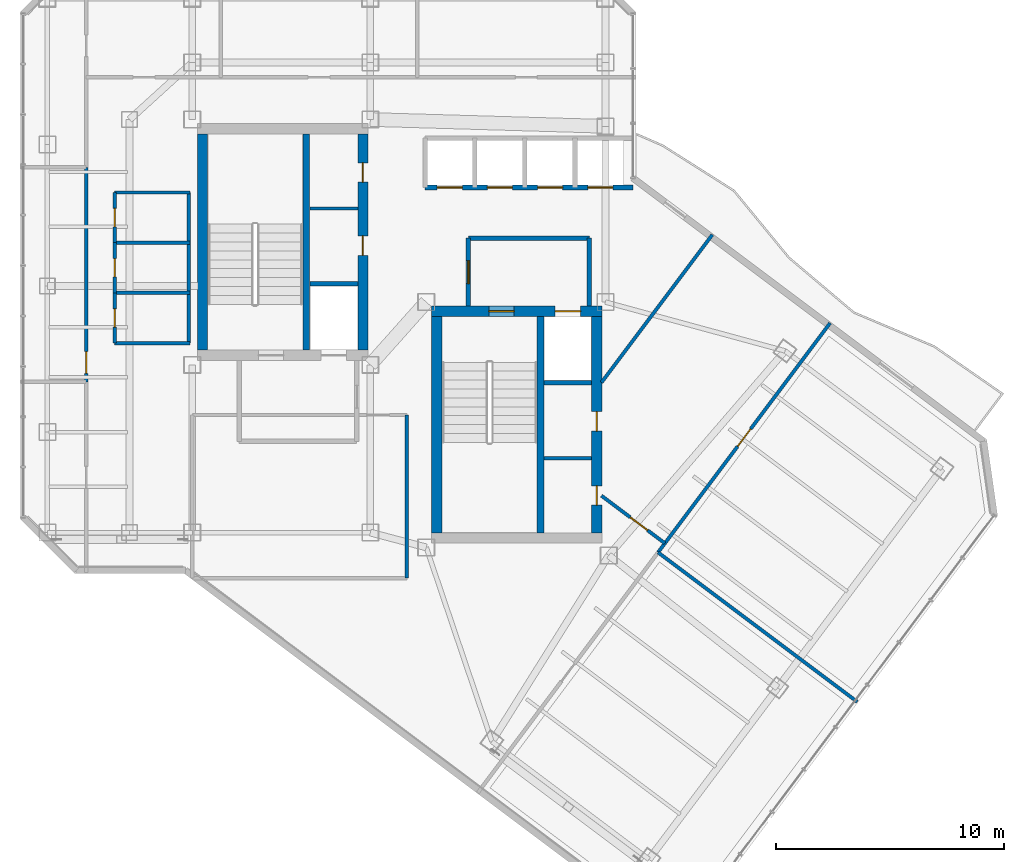
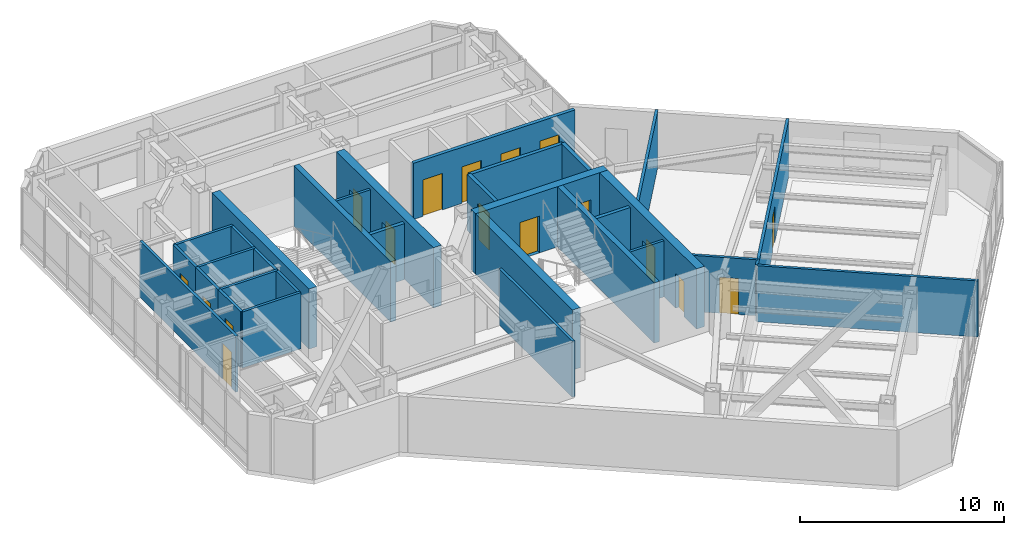
# One storey, part 20 of 24: 29 walls, 17 doors, 17 openings.
"""IFC4 building model written with IfcOpenShell, lengths in metres."""

import ifcopenshell
import ifcopenshell.guid

model = None  # the IFC model being written
_history = None  # IfcOwnerHistory: only IFC2X3 demands one
_inside = {}  # id of a spatial element -> (the spatial element, [elements in it])
_under = {}  # id of a project, library or spatial element -> (it, [spatial elements below it])
_declared = {}  # id of a project -> (the project, [libraries it declares])
_typed = {}  # id of a type object -> (the type object, [elements of that type])
_made_of = {}  # id of a material, layer set ... -> (it, [elements and type objects made of it])


def new_model(schema):
    """Start an empty IFC model of exactly this schema.

    Asked for "IFC4X3", IfcOpenShell would pick the latest addendum, in which some entities
    have other attributes; the version numbers below select the first issue.
    IFC2X3 requires an IfcOwnerHistory on every rooted entity: one is made here for all.
    """
    global model, _history
    if schema == "IFC4X3":
        model = ifcopenshell.file(schema_version=(4, 3, 0, 0))
    else:
        model = ifcopenshell.file(schema=schema)
    _inside.clear()
    _under.clear()
    _declared.clear()
    _typed.clear()
    _made_of.clear()
    _history = None
    if model.schema == "IFC2X3":
        org = make("IfcOrganization", Name="unknown")
        user = make(
            "IfcPersonAndOrganization",
            ThePerson=make("IfcPerson", FamilyName="unknown"),
            TheOrganization=org,
        )
        app = make(
            "IfcApplication",
            ApplicationDeveloper=org,
            Version="unknown",
            ApplicationFullName="unknown",
            ApplicationIdentifier="unknown",
        )
        _history = make(
            "IfcOwnerHistory",
            OwningUser=user,
            OwningApplication=app,
            ChangeAction="ADDED",
            CreationDate=0,
        )
    return model


def make(cls, **values):
    """One entity of the class cls with the attributes given. An attribute that is None is left unset."""
    return model.create_entity(
        cls, **{name: value for name, value in values.items() if value is not None}
    )


def rooted(cls, **values):
    """An entity with a GlobalId (a new one), such as an element, a storey or a relation."""
    return make(cls, GlobalId=ifcopenshell.guid.new(), OwnerHistory=_history, **values)


def si_unit(unit_type, name, prefix=None):
    """IfcSIUnit, for example si_unit("LENGTHUNIT", "METRE", prefix="MILLI")."""
    return make("IfcSIUnit", UnitType=unit_type, Prefix=prefix, Name=name)


def assignment(units):
    """IfcUnitAssignment: the units of a project."""
    return None if units is None else make("IfcUnitAssignment", Units=units)


def point(xyz):
    """IfcCartesianPoint."""
    return None if xyz is None else make("IfcCartesianPoint", Coordinates=xyz)


def direction(xyz):
    """IfcDirection."""
    return None if xyz is None else make("IfcDirection", DirectionRatios=xyz)


def frame(location, z_axis=None, x_axis=None):
    """IfcAxis2Placement3D, a coordinate frame: its origin and axes. An axis left out is left unset."""
    return make(
        "IfcAxis2Placement3D",
        Location=point(location),
        Axis=direction(z_axis),
        RefDirection=direction(x_axis),
    )


def frame_2d(location, x_axis=None):
    """IfcAxis2Placement2D, a coordinate frame in the plane: its origin and x axis."""
    return make(
        "IfcAxis2Placement2D", Location=point(location), RefDirection=direction(x_axis)
    )


def origin():
    """The frame at (0, 0, 0) with its axes left unset."""
    return frame((0.0, 0.0, 0.0))


def place(relative_to, where):
    """IfcLocalPlacement: puts the frame where relative to a parent placement (None: the world)."""
    return make(
        "IfcLocalPlacement", PlacementRelTo=relative_to, RelativePlacement=where
    )


def context(
    kind, dimensions, precision=None, world=None, true_north=None, identifier=None
):
    """IfcGeometricRepresentationContext, for example the 3D "Model" context."""
    return make(
        "IfcGeometricRepresentationContext",
        ContextIdentifier=identifier,
        ContextType=kind,
        CoordinateSpaceDimension=dimensions,
        Precision=precision,
        WorldCoordinateSystem=world,
        TrueNorth=true_north,
    )


def subcontext(parent, identifier, kind, view, scale=None):
    """IfcGeometricRepresentationSubContext, for example "Body" below "Model"."""
    return make(
        "IfcGeometricRepresentationSubContext",
        ContextIdentifier=identifier,
        ContextType=kind,
        ParentContext=parent,
        TargetScale=scale,
        TargetView=view,
    )


def project(units=None, contexts=None):
    """IfcProject with its units and contexts."""
    return rooted(
        "IfcProject",
        Name="project",
        RepresentationContexts=contexts,
        UnitsInContext=assignment(units),
    )


def spatial(cls, under=None, at=None, **own):
    """A site, building, storey or space (cls), placed at a placement, below another one or the project."""
    s = rooted(cls, ObjectPlacement=at, **own)
    if under is not None:
        _under.setdefault(under.id(), (under, []))[1].append(s)
    return s


def profile(cls, at=None, kind="AREA", **sizes):
    """A parametric profile (cls). Its sizes go by their IFC names, for example OverallWidth=200.0."""
    return make(cls, ProfileType=kind, Position=at, **sizes)


def rectangle(**sizes):
    """IfcRectangleProfileDef."""
    return profile("IfcRectangleProfileDef", **sizes)


def extrude(swept, where, along, depth):
    """IfcExtrudedAreaSolid: the profile swept, set in the frame where, extruded along a direction by depth."""
    return make(
        "IfcExtrudedAreaSolid",
        SweptArea=swept,
        Position=where,
        ExtrudedDirection=direction(along),
        Depth=depth,
    )


def shape(context_of_items, identifier, shape_type, items):
    """IfcShapeRepresentation: the items that make up one representation, for example the "Body"."""
    return make(
        "IfcShapeRepresentation",
        ContextOfItems=context_of_items,
        RepresentationIdentifier=identifier,
        RepresentationType=shape_type,
        Items=items,
    )


def material(Name=None, Category=None):
    """IfcMaterial."""
    return make("IfcMaterial", Name=Name, Category=Category)


def layer(
    of_material, thickness, ventilated=None, Name=None, Category=None, Priority=None
):
    """IfcMaterialLayer: one layer of a wall or slab, of a material (None: an air gap)."""
    return make(
        "IfcMaterialLayer",
        Material=of_material,
        LayerThickness=thickness,
        IsVentilated=ventilated,
        Name=Name,
        Category=Category,
        Priority=Priority,
    )


def layer_set(layers, Name=None):
    """IfcMaterialLayerSet."""
    return make("IfcMaterialLayerSet", MaterialLayers=layers, LayerSetName=Name)


def made_of(thing, what):
    """Note that an element or type object is made of a material, layer set ...; save() writes the relation."""
    if what is not None:
        _made_of.setdefault(what.id(), (what, []))[1].append(thing)
    return thing


def type_object(cls, material=None, **own):
    """A type object (cls), such as IfcWallType, which elements share."""
    return made_of(rooted(cls, **own), material)


def element(
    cls,
    number,
    at=None,
    inside=None,
    cuts=None,
    type_object=None,
    material=None,
    context=None,
    identifier="Body",
    shape_type=None,
    held_by="IfcProductDefinitionShape",
    body=None,
    shapes=None,
    **own,
):
    """One element of the class cls, such as IfcWall. Its Tag is "e" and its number.

    at: its placement. inside: the storey or other place that contains it. cuts: it is an
    opening in that element (IfcRelVoidsElement). A single representation is given by context,
    identifier, shape_type and body (its items); several are given by shapes. held_by: the class
    of the entity that holds the representations. save() writes the other relations.
    """
    e = rooted(cls, Tag="e%d" % number, ObjectPlacement=at, **own)
    if body is not None:
        shapes = [shape(context, identifier, shape_type, body)]
    if shapes is not None:
        e.Representation = make(held_by, Representations=shapes)
    if inside is not None:
        _inside.setdefault(inside.id(), (inside, []))[1].append(e)
    if cuts is not None:
        rooted(
            "IfcRelVoidsElement", RelatingBuildingElement=cuts, RelatedOpeningElement=e
        )
    if type_object is not None:
        _typed.setdefault(type_object.id(), (type_object, []))[1].append(e)
    return made_of(e, material)


def fill(opening, filler):
    """IfcRelFillsElement: the door or window that sits in an opening."""
    return rooted(
        "IfcRelFillsElement",
        RelatingOpeningElement=opening,
        RelatedBuildingElement=filler,
    )


def aggregate(whole, parts):
    """IfcRelAggregates: a whole, such as a stair, and the parts it consists of."""
    return rooted("IfcRelAggregates", RelatingObject=whole, RelatedObjects=parts)


def save(model, path):
    """Write the relations noted so far, then the file.

    IfcRelAggregates (storeys below a building ...), IfcRelContainedInSpatialStructure (elements
    in a storey), IfcRelDefinesByType, IfcRelAssociatesMaterial and IfcRelDeclares: one each for
    every whole, place, type object, material and project.
    """
    for whole, parts in _under.values():
        aggregate(whole, parts)
    for where, things in _inside.values():
        rooted(
            "IfcRelContainedInSpatialStructure",
            RelatedElements=things,
            RelatingStructure=where,
        )
    for kind, things in _typed.values():
        rooted("IfcRelDefinesByType", RelatedObjects=things, RelatingType=kind)
    for what, things in _made_of.values():
        rooted("IfcRelAssociatesMaterial", RelatedObjects=things, RelatingMaterial=what)
    for by, libraries in _declared.values():
        rooted("IfcRelDeclares", RelatingContext=by, RelatedDefinitions=libraries)
    model.write(path)


model = new_model("IFC4")

# Units and contexts
model_context = context("Model", 3, precision=1e-05, world=origin(), true_north=direction((0.0, 1.0)))
body_context = subcontext(model_context, "Body", "Model", "MODEL_VIEW")
ifc_project = project(units=[si_unit("LENGTHUNIT", "METRE"), si_unit("AREAUNIT", "SQUARE_METRE"), si_unit("VOLUMEUNIT", "CUBIC_METRE"), si_unit("PLANEANGLEUNIT", "RADIAN"), si_unit("MASSUNIT", "GRAM", prefix="KILO")], contexts=[model_context])

# Site, building, storey
site_placement = place(None, origin())
site = spatial("IfcSite", under=ifc_project, at=site_placement, CompositionType="ELEMENT")
building_placement = place(site_placement, origin())
building = spatial("IfcBuilding", under=site, at=building_placement, Name="Hatsunagi Terrace Concourse", CompositionType="ELEMENT")
storey_placement = place(building_placement, frame((0.0, 0.0, 202.35009765625)))
storey = spatial("IfcBuildingStorey", under=building, at=storey_placement, Name="L53", CompositionType="ELEMENT", Elevation=202.35009765625)

# Wall
ifc_material_1 = material(Name="Concrete Fc42", Category="concrete")
ifc_layer_1 = layer(ifc_material_1, 0.449951171875)
ifc_layer_set_1 = layer_set([ifc_layer_1], Name="CoreShearWall_Fc42_450")
wall_type_1 = type_object("IfcWallType", Name="CoreShearWall_Fc42_450", PredefinedType="SHEAR", material=ifc_layer_set_1)
wall_1_placement = place(storey_placement, frame((25.9951171875, 33.18994140625, 0.0), z_axis=(0.0, 0.0, 1.0), x_axis=(0.0, 1.0, 0.0)))
element("IfcWall", 1, at=wall_1_placement, inside=storey, type_object=wall_type_1, Name="Core A Shear Wall W L53", PredefinedType="SHEAR", context=body_context, shape_type="SweptSolid", body=[
    extrude(rectangle(XDim=9.47998046875, YDim=0.449951171875, at=frame_2d((4.739990234375, 0.0))), origin(), (0.0, 0.0, 1.0), 3.599853515625),
])

# Wall, openings, doors
wall_2_placement = place(storey_placement, frame((33.02490234375, 33.18994140625, 0.0), z_axis=(0.0, 0.0, 1.0), x_axis=(0.0, 1.0, 0.0)))
wall_2 = element("IfcWall", 2, at=wall_2_placement, inside=storey, type_object=wall_type_1, Name="Core A Shear Wall E L53", PredefinedType="SHEAR", context=body_context, shape_type="SweptSolid", body=[
    extrude(rectangle(XDim=9.47998046875, YDim=0.449951171875, at=frame_2d((4.739990234375, 0.0))), origin(), (0.0, 0.0, 1.0), 3.599853515625),
])
opening_1_placement = place(wall_2_placement, frame((4.159912109375, 0.0, 0.0)))
opening_1 = element("IfcOpeningElement", 3, at=opening_1_placement, cuts=wall_2, Name="Opening DR-085", PredefinedType="OPENING", context=body_context, shape_type="SweptSolid", body=[
    extrude(rectangle(XDim=0.85009765625, YDim=2.080078125, at=frame_2d((0.425048828125, 1.0400390625))), frame((0.0, 0.23486328125, 0.0), z_axis=(0.0, -1.0, 0.0), x_axis=(1.0, 0.0, 0.0)), (0.0, 0.0, 1.0), 0.469970703125),
])
opening_2_placement = place(wall_2_placement, frame((7.360107421875, 0.0, 0.0)))
opening_2 = element("IfcOpeningElement", 4, at=opening_2_placement, cuts=wall_2, Name="Opening DR-085", PredefinedType="OPENING", context=body_context, shape_type="SweptSolid", body=[
    extrude(rectangle(XDim=0.85009765625, YDim=2.080078125, at=frame_2d((0.425048828125, 1.0400390625))), frame((0.0, 0.23486328125, 0.0), z_axis=(0.0, -1.0, 0.0), x_axis=(1.0, 0.0, 0.0)), (0.0, 0.0, 1.0), 0.469970703125),
])
ifc_material_2 = material(Name="Painted steel", Category="steel")
door_type_1 = type_object("IfcDoorType", Name="RiserAccessDoor_EI60_850", OperationType="NOTDEFINED", PredefinedType="DOOR", material=ifc_material_2)
door_1_placement = place(opening_1_placement, origin())
door_1 = element("IfcDoor", 5, at=door_1_placement, inside=storey, type_object=door_type_1, Name="Core A Riser Door L53-1", OperationType="SINGLE_SWING_LEFT", OverallHeight=2.080078125, OverallWidth=0.85009765625, PredefinedType="DOOR", context=body_context, shape_type="SweptSolid", body=[
    extrude(rectangle(XDim=0.85009765625, YDim=2.080078125, at=frame_2d((0.425048828125, 1.0400390625))), frame((0.0, 0.02490234375, 0.0), z_axis=(0.0, -1.0, 0.0), x_axis=(1.0, 0.0, 0.0)), (0.0, 0.0, 1.0), 0.050048828125),
])
fill(opening_1, door_1)
door_2_placement = place(opening_2_placement, origin())
door_2 = element("IfcDoor", 6, at=door_2_placement, inside=storey, type_object=door_type_1, Name="Core A Riser Door L53-2", OperationType="SINGLE_SWING_LEFT", OverallHeight=2.080078125, OverallWidth=0.85009765625, PredefinedType="DOOR", context=body_context, shape_type="SweptSolid", body=[
    extrude(rectangle(XDim=0.85009765625, YDim=2.080078125, at=frame_2d((0.425048828125, 1.0400390625))), frame((0.0, 0.02490234375, 0.0), z_axis=(0.0, -1.0, 0.0), x_axis=(1.0, 0.0, 0.0)), (0.0, 0.0, 1.0), 0.050048828125),
])
fill(opening_2, door_2)

wall_3_placement = place(storey_placement, frame((36.0400390625, 34.89501953125, 0.0), z_axis=(0.0, 0.0, 1.0), x_axis=(1.0, 0.0, 0.0)))
wall_3 = element("IfcWall", 7, at=wall_3_placement, inside=storey, type_object=wall_type_1, Name="Core B Shear Wall N L53", PredefinedType="SHEAR", context=body_context, shape_type="SweptSolid", body=[
    extrude(rectangle(XDim=7.4599609375, YDim=0.449951171875, at=frame_2d((3.72998046875, 0.0))), origin(), (0.0, 0.0, 1.0), 3.599853515625),
])
opening_3_placement = place(wall_3_placement, frame((2.510009765625, 0.0, 0.0)))
opening_3 = element("IfcOpeningElement", 8, at=opening_3_placement, cuts=wall_3, Name="Opening DR-110S", PredefinedType="OPENING", context=body_context, shape_type="SweptSolid", body=[
    extrude(rectangle(XDim=1.10009765625, YDim=2.199951171875, at=frame_2d((0.550048828125, 1.10009765625))), frame((0.0, 0.23486328125, 0.0), z_axis=(0.0, -1.0, 0.0), x_axis=(1.0, 0.0, 0.0)), (0.0, 0.0, 1.0), 0.469970703125),
])
opening_4_placement = place(wall_3_placement, frame((5.409912109375, 0.0, 0.0)))
opening_4 = element("IfcOpeningElement", 9, at=opening_4_placement, cuts=wall_3, Name="Opening LD-02", PredefinedType="OPENING", context=body_context, shape_type="SweptSolid", body=[
    extrude(rectangle(XDim=1.1201171875, YDim=2.14990234375, at=frame_2d((0.56005859375, 1.074951171875))), frame((0.0, 0.23486328125, 0.0), z_axis=(0.0, -1.0, 0.0), x_axis=(1.0, 0.0, 0.0)), (0.0, 0.0, 1.0), 0.469970703125),
])
ifc_material_3 = material(Name="Stainless steel", Category="steel")
door_type_2 = type_object("IfcDoorType", Name="LiftLandingDoor_LD02", OperationType="SLIDING_TO_RIGHT", PredefinedType="USERDEFINED", material=ifc_material_3)
door_3_placement = place(opening_4_placement, origin())
door_3 = element("IfcDoor", 10, at=door_3_placement, inside=storey, type_object=door_type_2, Name="Lift landing door FF-02 L53", ObjectType="SLIDING_LANDING_DOOR", OperationType="SLIDING_TO_RIGHT", OverallHeight=2.14990234375, OverallWidth=1.1201171875, PredefinedType="USERDEFINED", context=body_context, shape_type="SweptSolid", body=[
    extrude(rectangle(XDim=1.1201171875, YDim=2.14990234375, at=frame_2d((0.56005859375, 1.074951171875))), frame((0.0, 0.02490234375, 0.0), z_axis=(0.0, -1.0, 0.0), x_axis=(1.0, 0.0, 0.0)), (0.0, 0.0, 1.0), 0.050048828125),
])
fill(opening_4, door_3)
ifc_material_4 = material(Name="Painted steel", Category="steel")
door_type_3 = type_object("IfcDoorType", Name="StairFireDoor_EI60_1100", OperationType="NOTDEFINED", PredefinedType="DOOR", material=ifc_material_4)
door_4_placement = place(opening_3_placement, origin())
door_4 = element("IfcDoor", 11, at=door_4_placement, inside=storey, type_object=door_type_3, Name="Stair ST-B Exit Door L53", OperationType="SINGLE_SWING_RIGHT", OverallHeight=2.199951171875, OverallWidth=1.10009765625, PredefinedType="DOOR", context=body_context, shape_type="SweptSolid", body=[
    extrude(rectangle(XDim=1.10009765625, YDim=2.199951171875, at=frame_2d((0.550048828125, 1.10009765625))), frame((0.0, 0.02490234375, 0.0), z_axis=(0.0, -1.0, 0.0), x_axis=(1.0, 0.0, 0.0)), (0.0, 0.0, 1.0), 0.050048828125),
])
fill(opening_3, door_4)

# Wall
wall_4_placement = place(storey_placement, frame((36.264892578125, 25.18994140625, 0.0), z_axis=(0.0, 0.0, 1.0), x_axis=(0.0, 1.0, 0.0)))
element("IfcWall", 12, at=wall_4_placement, inside=storey, type_object=wall_type_1, Name="Core B Shear Wall W L53", PredefinedType="SHEAR", context=body_context, shape_type="SweptSolid", body=[
    extrude(rectangle(XDim=9.47998046875, YDim=0.449951171875, at=frame_2d((4.739990234375, 0.0))), origin(), (0.0, 0.0, 1.0), 3.599853515625),
])

# Wall, openings, doors
wall_5_placement = place(storey_placement, frame((43.27490234375, 25.18994140625, 0.0), z_axis=(0.0, 0.0, 1.0), x_axis=(0.0, 1.0, 0.0)))
wall_5 = element("IfcWall", 13, at=wall_5_placement, inside=storey, type_object=wall_type_1, Name="Core B Shear Wall E L53", PredefinedType="SHEAR", context=body_context, shape_type="SweptSolid", body=[
    extrude(rectangle(XDim=9.47998046875, YDim=0.449951171875, at=frame_2d((4.739990234375, 0.0))), origin(), (0.0, 0.0, 1.0), 3.599853515625),
])
opening_5_placement = place(wall_5_placement, frame((1.2099609375, 0.0, 0.0)))
opening_5 = element("IfcOpeningElement", 14, at=opening_5_placement, cuts=wall_5, Name="Opening DR-085", PredefinedType="OPENING", context=body_context, shape_type="SweptSolid", body=[
    extrude(rectangle(XDim=0.85009765625, YDim=2.080078125, at=frame_2d((0.425048828125, 1.0400390625))), frame((0.0, 0.23486328125, 0.0), z_axis=(0.0, -1.0, 0.0), x_axis=(1.0, 0.0, 0.0)), (0.0, 0.0, 1.0), 0.469970703125),
])
opening_6_placement = place(wall_5_placement, frame((4.4599609375, 0.0, 0.0)))
opening_6 = element("IfcOpeningElement", 15, at=opening_6_placement, cuts=wall_5, Name="Opening DR-085", PredefinedType="OPENING", context=body_context, shape_type="SweptSolid", body=[
    extrude(rectangle(XDim=0.85009765625, YDim=2.080078125, at=frame_2d((0.425048828125, 1.0400390625))), frame((0.0, 0.23486328125, 0.0), z_axis=(0.0, -1.0, 0.0), x_axis=(1.0, 0.0, 0.0)), (0.0, 0.0, 1.0), 0.469970703125),
])
door_5_placement = place(opening_5_placement, origin())
door_5 = element("IfcDoor", 16, at=door_5_placement, inside=storey, type_object=door_type_1, Name="Core B Riser Door L53-1", OperationType="SINGLE_SWING_RIGHT", OverallHeight=2.080078125, OverallWidth=0.85009765625, PredefinedType="DOOR", context=body_context, shape_type="SweptSolid", body=[
    extrude(rectangle(XDim=0.85009765625, YDim=2.080078125, at=frame_2d((0.425048828125, 1.0400390625))), frame((0.0, 0.02490234375, 0.0), z_axis=(0.0, -1.0, 0.0), x_axis=(1.0, 0.0, 0.0)), (0.0, 0.0, 1.0), 0.050048828125),
])
fill(opening_5, door_5)
door_6_placement = place(opening_6_placement, origin())
door_6 = element("IfcDoor", 17, at=door_6_placement, inside=storey, type_object=door_type_1, Name="Core B Riser Door L53-2", OperationType="SINGLE_SWING_RIGHT", OverallHeight=2.080078125, OverallWidth=0.85009765625, PredefinedType="DOOR", context=body_context, shape_type="SweptSolid", body=[
    extrude(rectangle(XDim=0.85009765625, YDim=2.080078125, at=frame_2d((0.425048828125, 1.0400390625))), frame((0.0, 0.02490234375, 0.0), z_axis=(0.0, -1.0, 0.0), x_axis=(1.0, 0.0, 0.0)), (0.0, 0.0, 1.0), 0.050048828125),
])
fill(opening_6, door_6)

# Walls
ifc_material_5 = material(Name="Concrete Fc48", Category="concrete")
ifc_layer_2 = layer(ifc_material_5, 0.300048828125)
ifc_layer_set_2 = layer_set([ifc_layer_2], Name="CoreStairDivider_Fc48_300")
wall_type_2 = type_object("IfcWallType", Name="CoreStairDivider_Fc48_300", PredefinedType="SHEAR", material=ifc_layer_set_2)
for number, where, z_axis, x_axis, name in (
    (18, (30.5400390625, 33.18994140625, 0.0), (0.0, 0.0, 1.0), (0.0, 1.0, 0.0), "Core A Shear Wall D L53"),
    (19, (40.81005859375, 25.18994140625, 0.0), (0.0, 0.0, 1.0), (0.0, 1.0, 0.0), "Core B Shear Wall D L53"),
):
    element("IfcWall", number, at=place(storey_placement, frame(where, z_axis=z_axis, x_axis=x_axis)), inside=storey, type_object=wall_type_2, Name=name, PredefinedType="SHEAR", context=body_context, shape_type="SweptSolid", body=[
        extrude(rectangle(XDim=9.47998046875, YDim=0.300048828125, at=frame_2d((4.739990234375, 0.0))), origin(), (0.0, 0.0, 1.0), 3.599853515625),
    ])
ifc_material_6 = material(Name="Acoustic mineral board", Category="gypsum")
ifc_layer_3 = layer(ifc_material_6, 0.14990234375)
ifc_layer_set_3 = layer_set([ifc_layer_3], Name="PartitionWall_EI60_150")
wall_type_3 = type_object("IfcWallType", Name="PartitionWall_EI60_150", PredefinedType="PARTITIONING", material=ifc_layer_set_3)
wall_6_placement = place(storey_placement, frame((30.699951171875, 39.39990234375, 0.0), z_axis=(0.0, 0.0, 1.0), x_axis=(1.0, 0.0, 0.0)))
element("IfcWall", 20, at=wall_6_placement, inside=storey, type_object=wall_type_3, Name="Interior Partition IW-L53-002", PredefinedType="PARTITIONING", context=body_context, shape_type="SweptSolid", body=[
    extrude(rectangle(XDim=2.10009765625, YDim=0.14990234375, at=frame_2d((1.050048828125, 0.0))), origin(), (0.0, 0.0, 1.0), 3.349853515625),
])
wall_7_placement = place(storey_placement, frame((40.969970703125, 28.449951171875, 0.0), z_axis=(0.0, 0.0, 1.0), x_axis=(1.0, 0.0, 0.0)))
element("IfcWall", 21, at=wall_7_placement, inside=storey, type_object=wall_type_3, Name="Interior Partition IW-L53-004", PredefinedType="PARTITIONING", context=body_context, shape_type="SweptSolid", body=[
    extrude(rectangle(XDim=2.080078125, YDim=0.14990234375, at=frame_2d((1.0400390625, 0.0))), origin(), (0.0, 0.0, 1.0), 3.349853515625),
])
for number, where, z_axis, x_axis, name in (
    (22, (22.14990234375, 33.5, 0.0), (0.0, 0.0, 1.0), (1.0, 0.0, 0.0), "Interior Partition IW-L53-017"),
    (23, (22.14990234375, 40.10009765625, 0.0), (0.0, 0.0, 1.0), (1.0, 0.0, 0.0), "Interior Partition IW-L53-018"),
):
    element("IfcWall", number, at=place(storey_placement, frame(where, z_axis=z_axis, x_axis=x_axis)), inside=storey, type_object=wall_type_3, Name=name, PredefinedType="PARTITIONING", context=body_context, shape_type="SweptSolid", body=[
        extrude(rectangle(XDim=3.300048828125, YDim=0.14990234375, at=frame_2d((1.64990234375, 0.0))), origin(), (0.0, 0.0, 1.0), 3.349853515625),
    ])
wall_8_placement = place(storey_placement, frame((25.39990234375, 33.5, 0.0), z_axis=(0.0, 0.0, 1.0), x_axis=(0.0, 1.0, 0.0)))
element("IfcWall", 24, at=wall_8_placement, inside=storey, type_object=wall_type_3, Name="Interior Partition IW-L53-019", PredefinedType="PARTITIONING", context=body_context, shape_type="SweptSolid", body=[
    extrude(rectangle(XDim=6.60009765625, YDim=0.14990234375, at=frame_2d((3.300048828125, 0.0))), origin(), (0.0, 0.0, 1.0), 3.349853515625),
])
for number, where, z_axis, x_axis, name in (
    (25, (22.14990234375, 35.699951171875, 0.0), (0.0, 0.0, 1.0), (1.0, 0.0, 0.0), "Interior Partition IW-L53-020"),
    (26, (22.14990234375, 37.89990234375, 0.0), (0.0, 0.0, 1.0), (1.0, 0.0, 0.0), "Interior Partition IW-L53-021"),
):
    element("IfcWall", number, at=place(storey_placement, frame(where, z_axis=z_axis, x_axis=x_axis)), inside=storey, type_object=wall_type_3, Name=name, PredefinedType="PARTITIONING", context=body_context, shape_type="SweptSolid", body=[
        extrude(rectangle(XDim=3.300048828125, YDim=0.14990234375, at=frame_2d((1.64990234375, 0.0))), origin(), (0.0, 0.0, 1.0), 3.349853515625),
    ])

# Wall, opening, door
wall_9_placement = place(storey_placement, frame((22.14990234375, 33.5, 0.0), z_axis=(0.0, 0.0, 1.0), x_axis=(0.0, 1.0, 0.0)))
wall_9 = element("IfcWall", 27, at=wall_9_placement, inside=storey, type_object=wall_type_3, Name="Interior Partition IW-L53-022", PredefinedType="PARTITIONING", context=body_context, shape_type="SweptSolid", body=[
    extrude(rectangle(XDim=2.199951171875, YDim=0.14990234375, at=frame_2d((1.10009765625, 0.0))), origin(), (0.0, 0.0, 1.0), 3.349853515625),
])
opening_7_placement = place(wall_9_placement, frame((0.699951171875, 0.0, 0.0)))
opening_7 = element("IfcOpeningElement", 28, at=opening_7_placement, cuts=wall_9, Name="Opening DR-080", PredefinedType="OPENING", context=body_context, shape_type="SweptSolid", body=[
    extrude(rectangle(XDim=0.800048828125, YDim=2.06005859375, at=frame_2d((0.39990234375, 1.030029296875))), frame((0.0, 0.0849609375, 0.0), z_axis=(0.0, -1.0, 0.0), x_axis=(1.0, 0.0, 0.0)), (0.0, 0.0, 1.0), 0.169921875),
])
ifc_material_7 = material(Name="Hardwood timber", Category="wood")
door_type_4 = type_object("IfcDoorType", Name="BathroomDoor_800", OperationType="NOTDEFINED", PredefinedType="DOOR", material=ifc_material_7)
door_7_placement = place(opening_7_placement, origin())
door_7 = element("IfcDoor", 29, at=door_7_placement, inside=storey, type_object=door_type_4, Name="Accessible WC Door L53", OperationType="SINGLE_SWING_RIGHT", OverallHeight=2.06005859375, OverallWidth=0.800048828125, PredefinedType="DOOR", context=body_context, shape_type="SweptSolid", body=[
    extrude(rectangle(XDim=0.800048828125, YDim=2.06005859375, at=frame_2d((0.39990234375, 1.030029296875))), frame((0.0, 0.02490234375, 0.0), z_axis=(0.0, -1.0, 0.0), x_axis=(1.0, 0.0, 0.0)), (0.0, 0.0, 1.0), 0.050048828125),
])
fill(opening_7, door_7)

wall_10_placement = place(storey_placement, frame((22.14990234375, 35.699951171875, 0.0), z_axis=(0.0, 0.0, 1.0), x_axis=(0.0, 1.0, 0.0)))
wall_10 = element("IfcWall", 30, at=wall_10_placement, inside=storey, type_object=wall_type_3, Name="Interior Partition IW-L53-023", PredefinedType="PARTITIONING", context=body_context, shape_type="SweptSolid", body=[
    extrude(rectangle(XDim=2.199951171875, YDim=0.14990234375, at=frame_2d((1.10009765625, 0.0))), origin(), (0.0, 0.0, 1.0), 3.349853515625),
])
opening_8_placement = place(wall_10_placement, frame((0.699951171875, 0.0, 0.0)))
opening_8 = element("IfcOpeningElement", 31, at=opening_8_placement, cuts=wall_10, Name="Opening DR-080", PredefinedType="OPENING", context=body_context, shape_type="SweptSolid", body=[
    extrude(rectangle(XDim=0.800048828125, YDim=2.06005859375, at=frame_2d((0.39990234375, 1.030029296875))), frame((0.0, 0.0849609375, 0.0), z_axis=(0.0, -1.0, 0.0), x_axis=(1.0, 0.0, 0.0)), (0.0, 0.0, 1.0), 0.169921875),
])
door_8_placement = place(opening_8_placement, origin())
door_8 = element("IfcDoor", 32, at=door_8_placement, inside=storey, type_object=door_type_4, Name="Female Restroom Door L53", OperationType="SINGLE_SWING_RIGHT", OverallHeight=2.06005859375, OverallWidth=0.800048828125, PredefinedType="DOOR", context=body_context, shape_type="SweptSolid", body=[
    extrude(rectangle(XDim=0.800048828125, YDim=2.06005859375, at=frame_2d((0.39990234375, 1.030029296875))), frame((0.0, 0.02490234375, 0.0), z_axis=(0.0, -1.0, 0.0), x_axis=(1.0, 0.0, 0.0)), (0.0, 0.0, 1.0), 0.050048828125),
])
fill(opening_8, door_8)

wall_11_placement = place(storey_placement, frame((22.14990234375, 37.89990234375, 0.0), z_axis=(0.0, 0.0, 1.0), x_axis=(0.0, 1.0, 0.0)))
wall_11 = element("IfcWall", 33, at=wall_11_placement, inside=storey, type_object=wall_type_3, Name="Interior Partition IW-L53-024", PredefinedType="PARTITIONING", context=body_context, shape_type="SweptSolid", body=[
    extrude(rectangle(XDim=2.2001953125, YDim=0.14990234375, at=frame_2d((1.10009765625, 0.0))), origin(), (0.0, 0.0, 1.0), 3.349853515625),
])
opening_9_placement = place(wall_11_placement, frame((0.699951171875, 0.0, 0.0)))
opening_9 = element("IfcOpeningElement", 34, at=opening_9_placement, cuts=wall_11, Name="Opening DR-080", PredefinedType="OPENING", context=body_context, shape_type="SweptSolid", body=[
    extrude(rectangle(XDim=0.800048828125, YDim=2.06005859375, at=frame_2d((0.39990234375, 1.030029296875))), frame((0.0, 0.0849609375, 0.0), z_axis=(0.0, -1.0, 0.0), x_axis=(1.0, 0.0, 0.0)), (0.0, 0.0, 1.0), 0.169921875),
])
door_9_placement = place(opening_9_placement, origin())
door_9 = element("IfcDoor", 35, at=door_9_placement, inside=storey, type_object=door_type_4, Name="Male Restroom Door L53", OperationType="SINGLE_SWING_RIGHT", OverallHeight=2.06005859375, OverallWidth=0.800048828125, PredefinedType="DOOR", context=body_context, shape_type="SweptSolid", body=[
    extrude(rectangle(XDim=0.800048828125, YDim=2.06005859375, at=frame_2d((0.39990234375, 1.030029296875))), frame((0.0, 0.02490234375, 0.0), z_axis=(0.0, -1.0, 0.0), x_axis=(1.0, 0.0, 0.0)), (0.0, 0.0, 1.0), 0.050048828125),
])
fill(opening_9, door_9)

# Wall
wall_12_placement = place(storey_placement, frame((34.949951171875, 23.199951171875, 0.0), z_axis=(0.0, 0.0, 1.0), x_axis=(0.0, 1.0, 0.0)))
element("IfcWall", 36, at=wall_12_placement, inside=storey, type_object=wall_type_3, Name="Interior Partition IW-L53-028", PredefinedType="PARTITIONING", context=body_context, shape_type="SweptSolid", body=[
    extrude(rectangle(XDim=7.150146484375, YDim=0.14990234375, at=frame_2d((3.5751953125, 0.0))), origin(), (0.0, 0.0, 1.0), 3.349853515625),
])

# Wall, opening, door
wall_13_placement = place(storey_placement, frame((20.89990234375, 31.800048828125, 0.0), z_axis=(0.0, 0.0, 1.0), x_axis=(0.0, 1.0, 0.0)))
wall_13 = element("IfcWall", 37, at=wall_13_placement, inside=storey, type_object=wall_type_3, Name="Interior Partition IW-L53-032", PredefinedType="PARTITIONING", context=body_context, shape_type="SweptSolid", body=[
    extrude(rectangle(XDim=9.39990234375, YDim=0.14990234375, at=frame_2d((4.699951171875, 0.0))), origin(), (0.0, 0.0, 1.0), 3.349853515625),
])
opening_10_placement = place(wall_13_placement, frame((0.3798828125, 0.0, 0.0)))
opening_10 = element("IfcOpeningElement", 38, at=opening_10_placement, cuts=wall_13, Name="Opening DR-095", PredefinedType="OPENING", context=body_context, shape_type="SweptSolid", body=[
    extrude(rectangle(XDim=0.949951171875, YDim=2.14990234375, at=frame_2d((0.47509765625, 1.074951171875))), frame((0.0, 0.0849609375, 0.0), z_axis=(0.0, -1.0, 0.0), x_axis=(1.0, 0.0, 0.0)), (0.0, 0.0, 1.0), 0.169921875),
])
ifc_material_8 = material(Name="Hardwood timber", Category="wood")
door_type_5 = type_object("IfcDoorType", Name="InteriorSuiteDoor_EI30_950", OperationType="NOTDEFINED", PredefinedType="DOOR", material=ifc_material_8)
door_10_placement = place(opening_10_placement, origin())
door_10 = element("IfcDoor", 39, at=door_10_placement, inside=storey, type_object=door_type_5, Name="Design Studio L53-OW2 Door", OperationType="SINGLE_SWING_RIGHT", OverallHeight=2.14990234375, OverallWidth=0.949951171875, PredefinedType="DOOR", context=body_context, shape_type="SweptSolid", body=[
    extrude(rectangle(XDim=0.949951171875, YDim=2.14990234375, at=frame_2d((0.47509765625, 1.074951171875))), frame((0.0, 0.02490234375, 0.0), z_axis=(0.0, -1.0, 0.0), x_axis=(1.0, 0.0, 0.0)), (0.0, 0.0, 1.0), 0.050048828125),
])
fill(opening_10, door_10)

# Wall
wall_14_placement = place(storey_placement, frame((45.9599609375, 24.330078125, 0.0), z_axis=(0.0, 0.0, 1.0), x_axis=(0.799994629375, -0.600007160767, 0.0)))
element("IfcWall", 40, at=wall_14_placement, inside=storey, type_object=wall_type_3, Name="Interior Partition IW-L53-039", PredefinedType="PARTITIONING", context=body_context, shape_type="SweptSolid", body=[
    extrude(rectangle(XDim=10.91015625, YDim=0.14990234375, at=frame_2d((5.455078125, 0.0))), origin(), (0.0, 0.0, 1.0), 3.349853515625),
])

# Wall, opening, door
wall_15_placement = place(storey_placement, frame((45.9599609375, 24.330078125, 0.0), z_axis=(0.0, 0.0, 1.0), x_axis=(0.600012440253, 0.799990669659, 0.0)))
wall_15 = element("IfcWall", 41, at=wall_15_placement, inside=storey, type_object=wall_type_3, Name="Interior Partition IW-L53-041", PredefinedType="PARTITIONING", context=body_context, shape_type="SweptSolid", body=[
    extrude(rectangle(XDim=12.56005859375, YDim=0.14990234375, at=frame_2d((6.280029296875, 0.0))), origin(), (0.0, 0.0, 1.0), 3.349853515625),
])
opening_11_placement = place(wall_15_placement, frame((5.804931640625, 0.0, 0.0)))
opening_11 = element("IfcOpeningElement", 42, at=opening_11_placement, cuts=wall_15, Name="Opening DR-095", PredefinedType="OPENING", context=body_context, shape_type="SweptSolid", body=[
    extrude(rectangle(XDim=0.949951171875, YDim=2.14990234375, at=frame_2d((0.47509765625, 1.074951171875))), frame((0.0, 0.0849609375, 0.0), z_axis=(0.0, -1.0, 0.0), x_axis=(1.0, 0.0, 0.0)), (0.0, 0.0, 1.0), 0.169921875),
])
door_11_placement = place(opening_11_placement, origin())
door_11 = element("IfcDoor", 43, at=door_11_placement, inside=storey, type_object=door_type_5, Name="Research Focus Suite L53-OSE2 Door", OperationType="SINGLE_SWING_RIGHT", OverallHeight=2.14990234375, OverallWidth=0.949951171875, PredefinedType="DOOR", context=body_context, shape_type="SweptSolid", body=[
    extrude(rectangle(XDim=0.949951171875, YDim=2.14990234375, at=frame_2d((0.47509765625, 1.074951171875))), frame((0.0, 0.02490234375, 0.0), z_axis=(0.0, -1.0, 0.0), x_axis=(1.0, 0.0, 0.0)), (0.0, 0.0, 1.0), 0.050048828125),
])
fill(opening_11, door_11)

wall_16_placement = place(storey_placement, frame((43.47998046875, 26.81494140625, 0.0), z_axis=(0.0, 0.0, 1.0), x_axis=(0.800008430676, -0.599988758934, 0.0)))
wall_16 = element("IfcWall", 44, at=wall_16_placement, inside=storey, type_object=wall_type_3, Name="Interior Partition IW-L53-042", PredefinedType="PARTITIONING", context=body_context, shape_type="SweptSolid", body=[
    extrude(rectangle(XDim=3.47509765625, YDim=0.14990234375, at=frame_2d((1.737548828125, 0.0))), origin(), (0.0, 0.0, 1.0), 3.349853515625),
])
opening_12_placement = place(wall_16_placement, frame((1.580078125, 0.0, 0.0)))
opening_12 = element("IfcOpeningElement", 45, at=opening_12_placement, cuts=wall_16, Name="Opening DR-095", PredefinedType="OPENING", context=body_context, shape_type="SweptSolid", body=[
    extrude(rectangle(XDim=0.949951171875, YDim=2.14990234375, at=frame_2d((0.47509765625, 1.074951171875))), frame((0.0, 0.0849609375, 0.0), z_axis=(0.0, -1.0, 0.0), x_axis=(1.0, 0.0, 0.0)), (0.0, 0.0, 1.0), 0.169921875),
])
door_12_placement = place(opening_12_placement, origin())
door_12 = element("IfcDoor", 46, at=door_12_placement, inside=storey, type_object=door_type_5, Name="Collaboration Lounge L53-OSEN1 Door", OperationType="SINGLE_SWING_LEFT", OverallHeight=2.14990234375, OverallWidth=0.949951171875, PredefinedType="DOOR", context=body_context, shape_type="SweptSolid", body=[
    extrude(rectangle(XDim=0.949951171875, YDim=2.14990234375, at=frame_2d((0.47509765625, 1.074951171875))), frame((0.0, 0.02490234375, 0.0), z_axis=(0.0, -1.0, 0.0), x_axis=(1.0, 0.0, 0.0)), (0.0, 0.0, 1.0), 0.050048828125),
])
fill(opening_12, door_12)

# Walls
wall_17_placement = place(storey_placement, frame((43.47998046875, 31.77294921875, 0.0), z_axis=(0.0, 0.0, 1.0), x_axis=(0.599971041729, 0.800021717885, 0.0)))
element("IfcWall", 47, at=wall_17_placement, inside=storey, type_object=wall_type_3, Name="Interior Partition IW-L53-043", PredefinedType="PARTITIONING", context=body_context, shape_type="SweptSolid", body=[
    extrude(rectangle(XDim=8.09375, YDim=0.14990234375, at=frame_2d((4.046875, 0.0))), origin(), (0.0, 0.0, 1.0), 3.349853515625),
])
ifc_material_9 = material(Name="Acoustic mineral board", Category="gypsum")
ifc_layer_4 = layer(ifc_material_9, 0.199951171875)
ifc_layer_set_4 = layer_set([ifc_layer_4], Name="ShaftWall_EI120_200")
wall_type_4 = type_object("IfcWallType", Name="ShaftWall_EI120_200", PredefinedType="STANDARD", material=ifc_layer_set_4)
wall_18_placement = place(storey_placement, frame((30.699951171875, 36.10009765625, 0.0), z_axis=(0.0, 0.0, 1.0), x_axis=(1.0, 0.0, 0.0)))
element("IfcWall", 48, at=wall_18_placement, inside=storey, type_object=wall_type_4, Name="Interior Partition IW-L53-001", PredefinedType="STANDARD", context=body_context, shape_type="SweptSolid", body=[
    extrude(rectangle(XDim=2.10009765625, YDim=0.199951171875, at=frame_2d((1.050048828125, 0.0))), origin(), (0.0, 0.0, 1.0), 3.349853515625),
])
wall_19_placement = place(storey_placement, frame((40.969970703125, 31.760009765625, 0.0), z_axis=(0.0, 0.0, 1.0), x_axis=(1.0, 0.0, 0.0)))
element("IfcWall", 49, at=wall_19_placement, inside=storey, type_object=wall_type_4, Name="Interior Partition IW-L53-003", PredefinedType="STANDARD", context=body_context, shape_type="SweptSolid", body=[
    extrude(rectangle(XDim=2.080078125, YDim=0.199951171875, at=frame_2d((1.0400390625, 0.0))), origin(), (0.0, 0.0, 1.0), 3.349853515625),
])
wall_20_placement = place(storey_placement, frame((37.64990234375, 38.10009765625, 0.0), z_axis=(0.0, 0.0, 1.0), x_axis=(1.0, 0.0, 0.0)))
element("IfcWall", 50, at=wall_20_placement, inside=storey, type_object=wall_type_4, Name="Interior Partition IW-L53-008", PredefinedType="STANDARD", context=body_context, shape_type="SweptSolid", body=[
    extrude(rectangle(XDim=5.300048828125, YDim=0.199951171875, at=frame_2d((2.64990234375, 0.0))), origin(), (0.0, 0.0, 1.0), 3.349853515625),
])
wall_21_placement = place(storey_placement, frame((42.949951171875, 35.1201171875, 0.0), z_axis=(0.0, 0.0, 1.0), x_axis=(0.0, 1.0, 0.0)))
element("IfcWall", 51, at=wall_21_placement, inside=storey, type_object=wall_type_4, Name="Interior Partition IW-L53-009", PredefinedType="STANDARD", context=body_context, shape_type="SweptSolid", body=[
    extrude(rectangle(XDim=2.97998046875, YDim=0.199951171875, at=frame_2d((1.489990234375, 0.0))), origin(), (0.0, 0.0, 1.0), 3.349853515625),
])

# Wall, opening, door
wall_22_placement = place(storey_placement, frame((37.64990234375, 35.1201171875, 0.0), z_axis=(0.0, 0.0, 1.0), x_axis=(0.0, 1.0, 0.0)))
wall_22 = element("IfcWall", 52, at=wall_22_placement, inside=storey, type_object=wall_type_4, Name="Interior Partition IW-L53-010", PredefinedType="STANDARD", context=body_context, shape_type="SweptSolid", body=[
    extrude(rectangle(XDim=2.97998046875, YDim=0.199951171875, at=frame_2d((1.489990234375, 0.0))), origin(), (0.0, 0.0, 1.0), 3.349853515625),
])
opening_13_placement = place(wall_22_placement, frame((0.989990234375, 0.0, 0.0)))
opening_13 = element("IfcOpeningElement", 53, at=opening_13_placement, cuts=wall_22, Name="Opening DR-100F", PredefinedType="OPENING", context=body_context, shape_type="SweptSolid", body=[
    extrude(rectangle(XDim=1.0, YDim=2.199951171875, at=frame_2d((0.5, 1.10009765625))), frame((0.0, 0.10986328125, 0.0), z_axis=(0.0, -1.0, 0.0), x_axis=(1.0, 0.0, 0.0)), (0.0, 0.0, 1.0), 0.219970703125),
])
ifc_material_10 = material(Name="Painted steel", Category="steel")
door_type_6 = type_object("IfcDoorType", Name="FireDoor_EI60_1000", OperationType="NOTDEFINED", PredefinedType="DOOR", material=ifc_material_10)
door_13_placement = place(opening_13_placement, origin())
door_13 = element("IfcDoor", 54, at=door_13_placement, inside=storey, type_object=door_type_6, Name="Firefighting Lobby B Door L53", OperationType="SINGLE_SWING_RIGHT", OverallHeight=2.199951171875, OverallWidth=1.0, PredefinedType="DOOR", context=body_context, shape_type="SweptSolid", body=[
    extrude(rectangle(XDim=1.0, YDim=2.199951171875, at=frame_2d((0.5, 1.10009765625))), frame((0.0, 0.02490234375, 0.0), z_axis=(0.0, -1.0, 0.0), x_axis=(1.0, 0.0, 0.0)), (0.0, 0.0, 1.0), 0.050048828125),
])
fill(opening_13, door_13)

# Wall, openings, doors
wall_23_placement = place(storey_placement, frame((35.75, 40.320068359375, 0.0), z_axis=(0.0, 0.0, 1.0), x_axis=(1.0, 0.0, 0.0)))
wall_23 = element("IfcWall", 55, at=wall_23_placement, inside=storey, type_object=wall_type_4, Name="Interior Partition IW-L53-016", PredefinedType="STANDARD", context=body_context, shape_type="SweptSolid", body=[
    extrude(rectangle(XDim=9.110107421875, YDim=0.199951171875, at=frame_2d((4.55517578125, 0.0))), origin(), (0.0, 0.0, 1.0), 3.349853515625),
])
opening_14_placement = place(wall_23_placement, frame((0.530029296875, 0.0, 0.0)))
opening_14 = element("IfcOpeningElement", 56, at=opening_14_placement, cuts=wall_23, Name="Opening LD-04", PredefinedType="OPENING", context=body_context, shape_type="SweptSolid", body=[
    extrude(rectangle(XDim=1.10009765625, YDim=2.179931640625, at=frame_2d((0.550048828125, 1.08984375))), frame((0.0, 0.10986328125, 0.0), z_axis=(0.0, -1.0, 0.0), x_axis=(1.0, 0.0, 0.0)), (0.0, 0.0, 1.0), 0.219970703125),
])
opening_15_placement = place(wall_23_placement, frame((2.72998046875, 0.0, 0.0)))
opening_15 = element("IfcOpeningElement", 57, at=opening_15_placement, cuts=wall_23, Name="Opening LD-04", PredefinedType="OPENING", context=body_context, shape_type="SweptSolid", body=[
    extrude(rectangle(XDim=1.10009765625, YDim=2.179931640625, at=frame_2d((0.550048828125, 1.08984375))), frame((0.0, 0.10986328125, 0.0), z_axis=(0.0, -1.0, 0.0), x_axis=(1.0, 0.0, 0.0)), (0.0, 0.0, 1.0), 0.219970703125),
])
opening_16_placement = place(wall_23_placement, frame((4.929931640625, 0.0, 0.0)))
opening_16 = element("IfcOpeningElement", 58, at=opening_16_placement, cuts=wall_23, Name="Opening LD-04", PredefinedType="OPENING", context=body_context, shape_type="SweptSolid", body=[
    extrude(rectangle(XDim=1.10009765625, YDim=2.179931640625, at=frame_2d((0.550048828125, 1.08984375))), frame((0.0, 0.10986328125, 0.0), z_axis=(0.0, -1.0, 0.0), x_axis=(1.0, 0.0, 0.0)), (0.0, 0.0, 1.0), 0.219970703125),
])
opening_17_placement = place(wall_23_placement, frame((7.1298828125, 0.0, 0.0)))
opening_17 = element("IfcOpeningElement", 59, at=opening_17_placement, cuts=wall_23, Name="Opening LD-04", PredefinedType="OPENING", context=body_context, shape_type="SweptSolid", body=[
    extrude(rectangle(XDim=1.10009765625, YDim=2.179931640625, at=frame_2d((0.550048828125, 1.08984375))), frame((0.0, 0.10986328125, 0.0), z_axis=(0.0, -1.0, 0.0), x_axis=(1.0, 0.0, 0.0)), (0.0, 0.0, 1.0), 0.219970703125),
])
ifc_material_11 = material(Name="Stainless steel", Category="steel")
door_type_7 = type_object("IfcDoorType", Name="LiftLandingDoor_LD04", OperationType="SLIDING_TO_RIGHT", PredefinedType="USERDEFINED", material=ifc_material_11)
door_14_placement = place(opening_14_placement, origin())
door_14 = element("IfcDoor", 60, at=door_14_placement, inside=storey, type_object=door_type_7, Name="Lift landing door PL-05 L53", ObjectType="SLIDING_LANDING_DOOR", OperationType="SLIDING_TO_RIGHT", OverallHeight=2.179931640625, OverallWidth=1.10009765625, PredefinedType="USERDEFINED", context=body_context, shape_type="SweptSolid", body=[
    extrude(rectangle(XDim=1.10009765625, YDim=2.179931640625, at=frame_2d((0.550048828125, 1.08984375))), frame((0.0, 0.02490234375, 0.0), z_axis=(0.0, -1.0, 0.0), x_axis=(1.0, 0.0, 0.0)), (0.0, 0.0, 1.0), 0.050048828125),
])
fill(opening_14, door_14)
door_15_placement = place(opening_15_placement, origin())
door_15 = element("IfcDoor", 61, at=door_15_placement, inside=storey, type_object=door_type_7, Name="Lift landing door PL-06 L53", ObjectType="SLIDING_LANDING_DOOR", OperationType="SLIDING_TO_RIGHT", OverallHeight=2.179931640625, OverallWidth=1.10009765625, PredefinedType="USERDEFINED", context=body_context, shape_type="SweptSolid", body=[
    extrude(rectangle(XDim=1.10009765625, YDim=2.179931640625, at=frame_2d((0.550048828125, 1.08984375))), frame((0.0, 0.02490234375, 0.0), z_axis=(0.0, -1.0, 0.0), x_axis=(1.0, 0.0, 0.0)), (0.0, 0.0, 1.0), 0.050048828125),
])
fill(opening_15, door_15)
door_16_placement = place(opening_16_placement, origin())
door_16 = element("IfcDoor", 62, at=door_16_placement, inside=storey, type_object=door_type_7, Name="Lift landing door PL-07 L53", ObjectType="SLIDING_LANDING_DOOR", OperationType="SLIDING_TO_RIGHT", OverallHeight=2.179931640625, OverallWidth=1.10009765625, PredefinedType="USERDEFINED", context=body_context, shape_type="SweptSolid", body=[
    extrude(rectangle(XDim=1.10009765625, YDim=2.179931640625, at=frame_2d((0.550048828125, 1.08984375))), frame((0.0, 0.02490234375, 0.0), z_axis=(0.0, -1.0, 0.0), x_axis=(1.0, 0.0, 0.0)), (0.0, 0.0, 1.0), 0.050048828125),
])
fill(opening_16, door_16)
door_17_placement = place(opening_17_placement, origin())
door_17 = element("IfcDoor", 63, at=door_17_placement, inside=storey, type_object=door_type_7, Name="Lift landing door PL-08 L53", ObjectType="SLIDING_LANDING_DOOR", OperationType="SLIDING_TO_RIGHT", OverallHeight=2.179931640625, OverallWidth=1.10009765625, PredefinedType="USERDEFINED", context=body_context, shape_type="SweptSolid", body=[
    extrude(rectangle(XDim=1.10009765625, YDim=2.179931640625, at=frame_2d((0.550048828125, 1.08984375))), frame((0.0, 0.02490234375, 0.0), z_axis=(0.0, -1.0, 0.0), x_axis=(1.0, 0.0, 0.0)), (0.0, 0.0, 1.0), 0.050048828125),
])
fill(opening_17, door_17)

save(model, "model.ifc")
